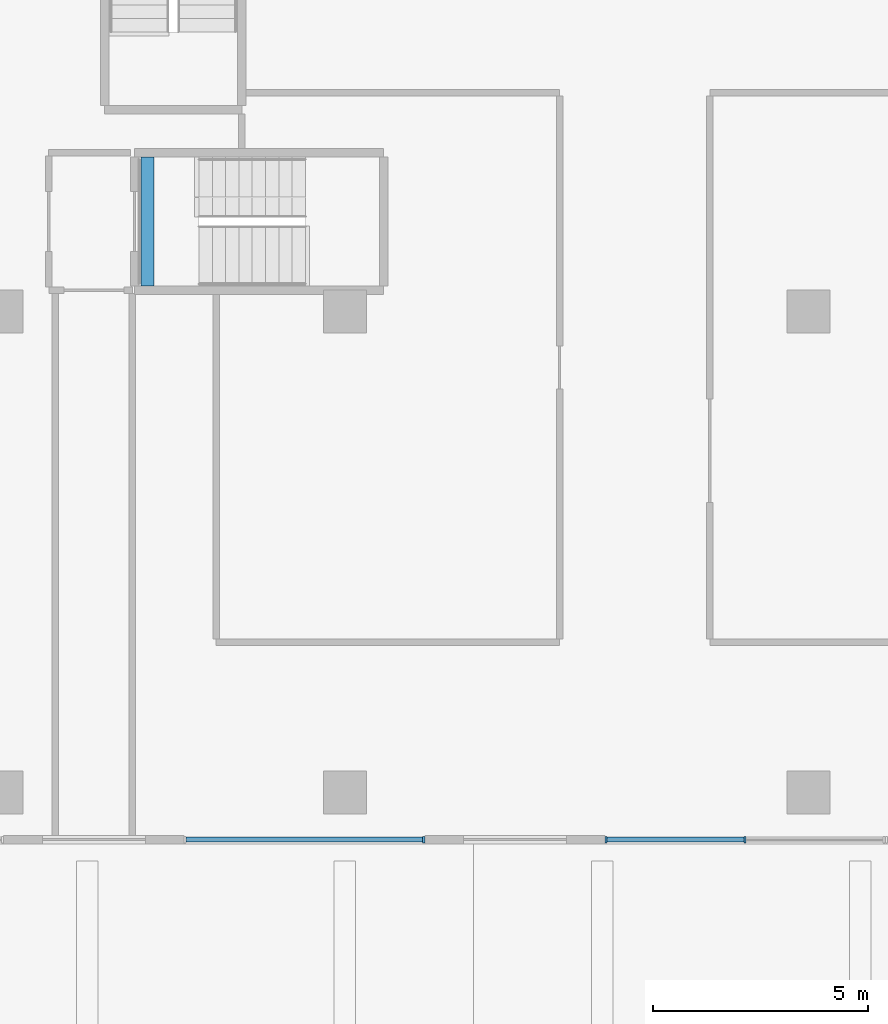
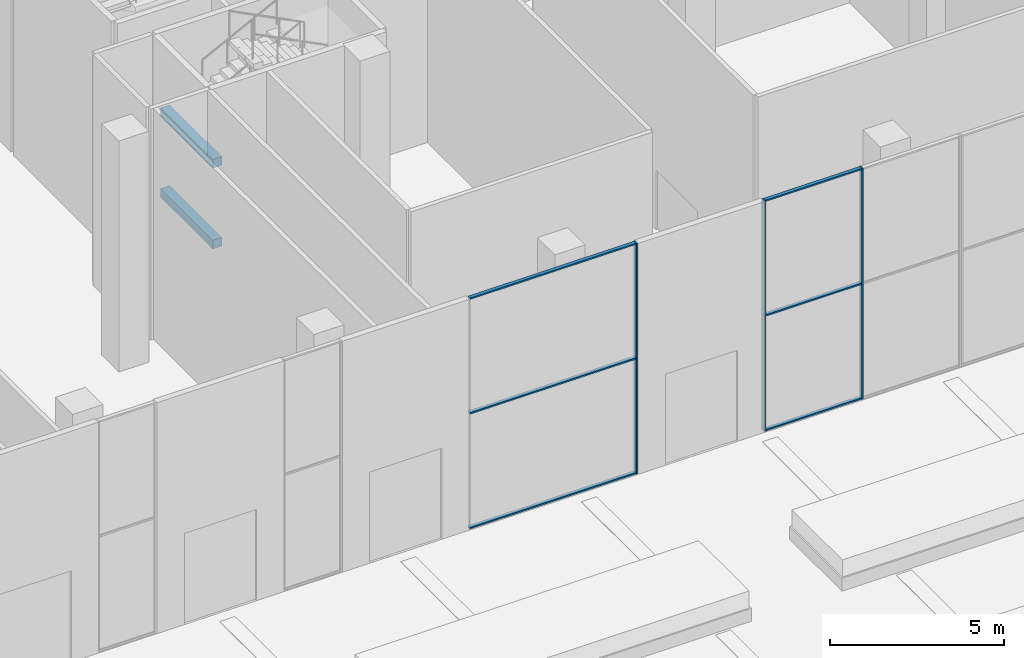
# One storey, part 4 of 41: 9 members, 2 beams, 2 elements without a shape of their own.
"""IFC4 building model written with IfcOpenShell, lengths in metres."""

from ifc_helpers import new_model, si_unit, direction, frame, origin, origin_2d, place, context, subcontext, project, spatial, rectangle, extrude, material, layer, layer_set, material_profile, profile_set, type_object, element, aggregate, save


model = new_model("IFC4")

# Units and contexts
model_context = context("Model", 3, precision=1e-05, world=origin(), true_north=direction((0.0, 1.0)))
body_context = subcontext(model_context, "Body", "Model", "MODEL_VIEW")
ifc_project = project(units=[si_unit("LENGTHUNIT", "METRE"), si_unit("AREAUNIT", "SQUARE_METRE"), si_unit("VOLUMEUNIT", "CUBIC_METRE"), si_unit("PLANEANGLEUNIT", "RADIAN"), si_unit("MASSUNIT", "GRAM", prefix="KILO")], contexts=[model_context])

# Site, building, storey
site_placement = place(None, origin())
site = spatial("IfcSite", under=ifc_project, at=site_placement, CompositionType="ELEMENT")
building_placement = place(site_placement, origin())
building = spatial("IfcBuilding", under=site, at=building_placement, Name="Triada Interchange Tower", CompositionType="ELEMENT")
storey_placement = place(building_placement, origin())
storey = spatial("IfcBuildingStorey", under=building, at=storey_placement, Name="L00", CompositionType="ELEMENT", Elevation=0.0)

# Beams
ifc_material_1 = material(Name="Concrete C35/45", Category="concrete")
ifc_material_profile_1 = material_profile(ifc_material_1, rectangle(XDim=0.300048828125, YDim=0.300048828125, at=origin_2d()), Name="RC 300x300")
ifc_profile_set_1 = profile_set([ifc_material_profile_1], Name="Concrete C35/45")
beam_type = type_object("IfcBeamType", Name="Landing support beam RC 300x300", PredefinedType="BEAM", material=ifc_profile_set_1)
for number, where, z_axis, x_axis, name in (
    (1, (7.39990234375, -34.5, 2.4833984375), (0.0, -1.0, 0.0), (1.0, 0.0, 0.0), "Landing support beam S00-5 1"),
    (2, (7.39990234375, -34.5, 5.31689453125), (0.0, -1.0, 0.0), (1.0, 0.0, 0.0), "Landing support beam S00-5 2"),
):
    element("IfcBeam", number, at=place(storey_placement, frame(where, z_axis=z_axis, x_axis=x_axis)), inside=storey, type_object=beam_type, Name=name, PredefinedType="BEAM", context=body_context, shape_type="SweptSolid", body=[
        extrude(rectangle(XDim=0.300048828125, YDim=0.300048828125, at=origin_2d()), origin(), (0.0, 0.0, 1.0), 3.0),
    ])

# Curtain wall, member
ifc_material_2 = material(Name="Aluminium framed glazing", Category="aluminium")
ifc_layer = layer(ifc_material_2, 0.199951171875)
ifc_layer_set = layer_set([ifc_layer], Name="Curtain wall Retail shopfront")
curtain_wall_type = type_object("IfcCurtainWallType", Name="Curtain wall Retail shopfront", PredefinedType="NOTDEFINED", material=ifc_layer_set)
curtain_wall_1_placement = place(storey_placement, origin())
curtain_wall_1 = element("IfcCurtainWall", 3, at=curtain_wall_1_placement, inside=storey, type_object=curtain_wall_type, Name="Retail shopfront CW007 L00", PredefinedType="NOTDEFINED")
ifc_material_3 = material(Name="Aluminium", Category="aluminium")
ifc_material_profile_2 = material_profile(ifc_material_3, rectangle(XDim=0.14990234375, YDim=0.050048828125, at=origin_2d()), Name="Aluminium mullion")
ifc_profile_set_2 = profile_set([ifc_material_profile_2], Name="Aluminium")
member_type_1 = type_object("IfcMemberType", Name="Mullion Retail shopfront 150x50", PredefinedType="MULLION", material=ifc_profile_set_2)
member_1_placement = place(storey_placement, frame((13.8349609375, -50.39990234375, 0.0), z_axis=(0.0, 0.0, 1.0), x_axis=(0.0, 1.0, 0.0)))
member_1 = element("IfcMember", 4, at=member_1_placement, type_object=member_type_1, Name="CW007 mullion 2", PredefinedType="MULLION", context=body_context, shape_type="SweptSolid", body=[
    extrude(rectangle(XDim=0.14990234375, YDim=0.050048828125, at=origin_2d()), origin(), (0.0, 0.0, 1.0), 8.10009765625),
])

# Curtain wall, members
curtain_wall_2_placement = place(storey_placement, origin())
curtain_wall_2 = element("IfcCurtainWall", 5, at=curtain_wall_2_placement, inside=storey, type_object=curtain_wall_type, Name="Retail shopfront CW008 L00", PredefinedType="NOTDEFINED")
member_2_placement = place(storey_placement, frame((18.0849609375, -50.39990234375, 0.0), z_axis=(0.0, 0.0, 1.0), x_axis=(0.0, 1.0, 0.0)))
member_2 = element("IfcMember", 6, at=member_2_placement, type_object=member_type_1, Name="CW008 mullion 1", PredefinedType="MULLION", context=body_context, shape_type="SweptSolid", body=[
    extrude(rectangle(XDim=0.14990234375, YDim=0.050048828125, at=origin_2d()), origin(), (0.0, 0.0, 1.0), 8.10009765625),
])
member_3_placement = place(storey_placement, frame((21.322509765625, -50.39990234375, 0.0), z_axis=(0.0, 0.0, 1.0), x_axis=(0.0, 1.0, 0.0)))
member_3 = element("IfcMember", 7, at=member_3_placement, type_object=member_type_1, Name="CW008 mullion 2", PredefinedType="MULLION", context=body_context, shape_type="SweptSolid", body=[
    extrude(rectangle(XDim=0.14990234375, YDim=0.050048828125, at=origin_2d()), origin(), (0.0, 0.0, 1.0), 8.10009765625),
])

# Member
ifc_material_profile_3 = material_profile(ifc_material_3, rectangle(XDim=0.1201171875, YDim=0.050048828125, at=origin_2d()), Name="Aluminium transom")
ifc_profile_set_3 = profile_set([ifc_material_profile_3], Name="Aluminium")
member_type_2 = type_object("IfcMemberType", Name="Transom Retail shopfront 120x50", PredefinedType="USERDEFINED", material=ifc_profile_set_3)
member_4_placement = place(storey_placement, frame((8.300048828125, -50.39990234375, 0.02490234375), z_axis=(1.0, 0.0, 0.0), x_axis=(0.0, 1.0, 0.0)))
member_4 = element("IfcMember", 8, at=member_4_placement, type_object=member_type_2, Name="CW007 transom 1.1", ObjectType="TRANSOM", PredefinedType="USERDEFINED", context=body_context, shape_type="SweptSolid", body=[
    extrude(rectangle(XDim=0.1201171875, YDim=0.050048828125, at=origin_2d()), origin(), (0.0, 0.0, 1.0), 5.510009765625),
])

member_5_placement = place(storey_placement, frame((8.300048828125, -50.39990234375, 4.050048828125), z_axis=(1.0, 0.0, 0.0), x_axis=(0.0, 1.0, 0.0)))
member_5 = element("IfcMember", 9, at=member_5_placement, type_object=member_type_2, Name="CW007 transom 1.2", ObjectType="TRANSOM", PredefinedType="USERDEFINED", context=body_context, shape_type="SweptSolid", body=[
    extrude(rectangle(XDim=0.1201171875, YDim=0.050048828125, at=origin_2d()), origin(), (0.0, 0.0, 1.0), 5.510009765625),
])

member_6_placement = place(storey_placement, frame((8.300048828125, -50.39990234375, 8.074951171875), z_axis=(1.0, 0.0, 0.0), x_axis=(0.0, 1.0, 0.0)))
member_6 = element("IfcMember", 10, at=member_6_placement, type_object=member_type_2, Name="CW007 transom 1.3", ObjectType="TRANSOM", PredefinedType="USERDEFINED", context=body_context, shape_type="SweptSolid", body=[
    extrude(rectangle(XDim=0.1201171875, YDim=0.050048828125, at=origin_2d()), origin(), (0.0, 0.0, 1.0), 5.510009765625),
])

aggregate(curtain_wall_1, [member_1, member_4, member_5, member_6])

member_7_placement = place(storey_placement, frame((18.110107421875, -50.39990234375, 0.02490234375), z_axis=(1.0, 0.0, 0.0), x_axis=(0.0, 1.0, 0.0)))
member_7 = element("IfcMember", 11, at=member_7_placement, type_object=member_type_2, Name="CW008 transom 1.1", ObjectType="TRANSOM", PredefinedType="USERDEFINED", context=body_context, shape_type="SweptSolid", body=[
    extrude(rectangle(XDim=0.1201171875, YDim=0.050048828125, at=origin_2d()), origin(), (0.0, 0.0, 1.0), 3.1875),
])

member_8_placement = place(storey_placement, frame((18.110107421875, -50.39990234375, 4.050048828125), z_axis=(1.0, 0.0, 0.0), x_axis=(0.0, 1.0, 0.0)))
member_8 = element("IfcMember", 12, at=member_8_placement, type_object=member_type_2, Name="CW008 transom 1.2", ObjectType="TRANSOM", PredefinedType="USERDEFINED", context=body_context, shape_type="SweptSolid", body=[
    extrude(rectangle(XDim=0.1201171875, YDim=0.050048828125, at=origin_2d()), origin(), (0.0, 0.0, 1.0), 3.1875),
])

member_9_placement = place(storey_placement, frame((18.110107421875, -50.39990234375, 8.074951171875), z_axis=(1.0, 0.0, 0.0), x_axis=(0.0, 1.0, 0.0)))
member_9 = element("IfcMember", 13, at=member_9_placement, type_object=member_type_2, Name="CW008 transom 1.3", ObjectType="TRANSOM", PredefinedType="USERDEFINED", context=body_context, shape_type="SweptSolid", body=[
    extrude(rectangle(XDim=0.1201171875, YDim=0.050048828125, at=origin_2d()), origin(), (0.0, 0.0, 1.0), 3.1875),
])

aggregate(curtain_wall_2, [member_2, member_3, member_7, member_8, member_9])

save(model, "model.ifc")
